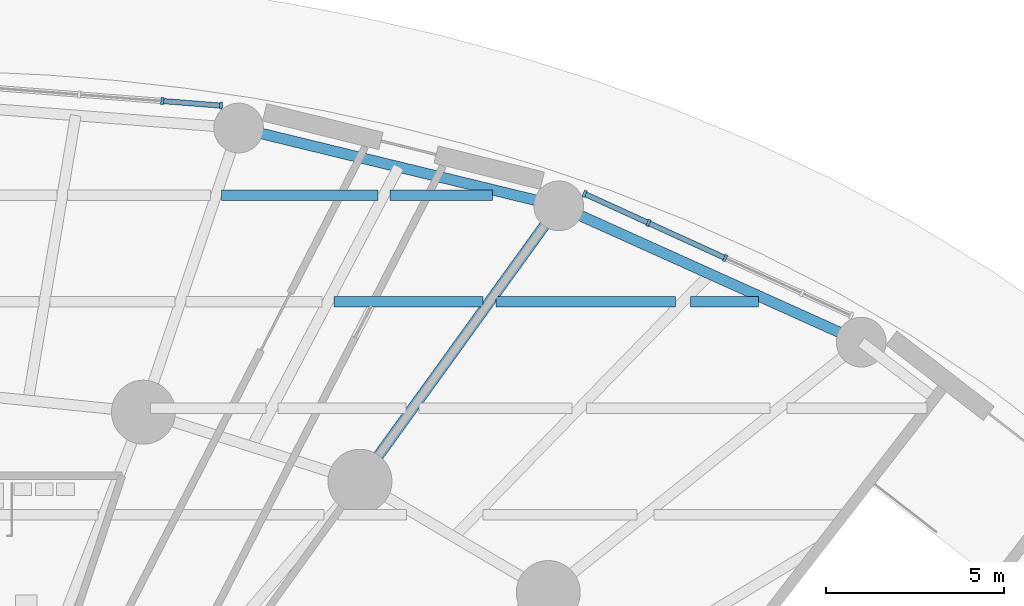
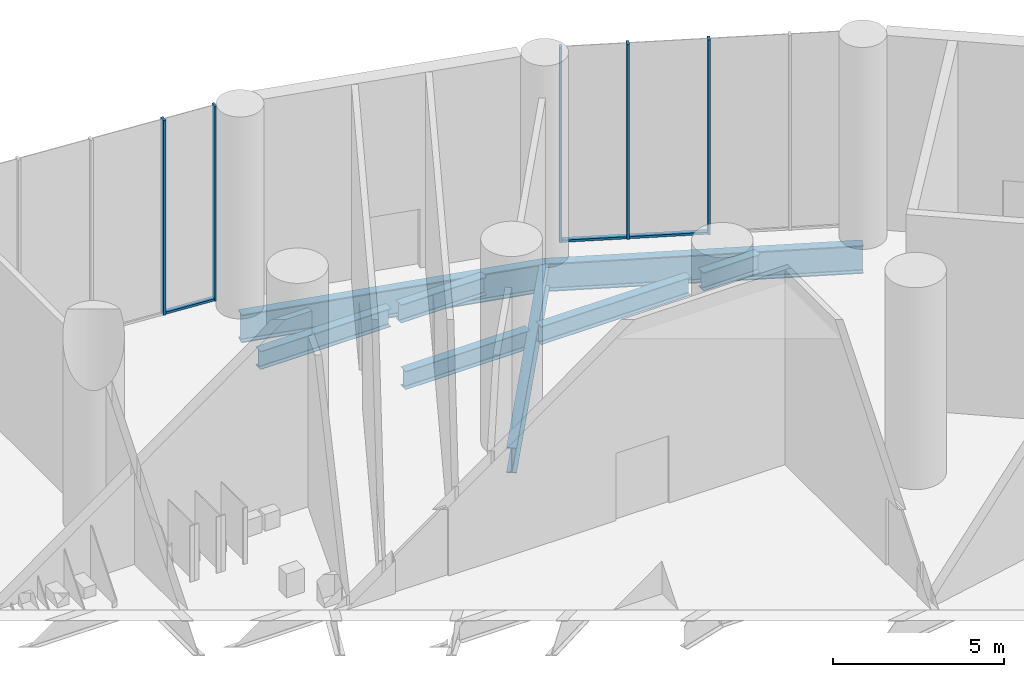
# One storey, part 8 of 22: 8 beams, 8 members, 2 elements without a shape of their own.
"""IFC4 building model written with IfcOpenShell, lengths in metres."""

from ifc_helpers import new_model, si_unit, direction, frame, origin, origin_2d, place, context, subcontext, project, spatial, rectangle, i_section, extrude, material, material_profile, profile_set, type_object, element, aggregate, save


model = new_model("IFC4")

# Units and contexts
model_context = context("Model", 3, precision=1e-05, world=origin(), true_north=direction((0.0, 1.0)))
body_context = subcontext(model_context, "Body", "Model", "MODEL_VIEW")
ifc_project = project(units=[si_unit("LENGTHUNIT", "METRE"), si_unit("AREAUNIT", "SQUARE_METRE"), si_unit("VOLUMEUNIT", "CUBIC_METRE"), si_unit("PLANEANGLEUNIT", "RADIAN"), si_unit("MASSUNIT", "GRAM", prefix="KILO")], contexts=[model_context])

# Site, building, storey
site_placement = place(None, origin())
site = spatial("IfcSite", under=ifc_project, at=site_placement, CompositionType="ELEMENT")
building_placement = place(site_placement, origin())
building = spatial("IfcBuilding", under=site, at=building_placement, Name="Hankou Lantern Tower", CompositionType="ELEMENT")
storey_placement = place(building_placement, origin())
storey = spatial("IfcBuildingStorey", under=building, at=storey_placement, Name="L00", CompositionType="ELEMENT", Elevation=0.0)

# Curtain wall, members
ifc_material_1 = material(Name="Glass, dark grey tinted laminated", Category="glass")
curtain_wall_type = type_object("IfcCurtainWallType", Name="CWP PODIUM CURTAIN WALL", PredefinedType="USERDEFINED", material=ifc_material_1)
curtain_wall_1_placement = place(storey_placement, origin())
curtain_wall_1 = element("IfcCurtainWall", 1, at=curtain_wall_1_placement, inside=storey, type_object=curtain_wall_type, Name="CWP L00 PC01", ObjectType="PODIUM GLAZING", PredefinedType="USERDEFINED")
ifc_material_2 = material(Name="Aluminium, black anodised", Category="aluminium")
ifc_material_profile_1 = material_profile(ifc_material_2, rectangle(XDim=0.080078125, YDim=0.199951171875, at=origin_2d()), Name="MU2 80X200")
ifc_profile_set_1 = profile_set([ifc_material_profile_1], Name="Aluminium, black anodised")
member_type_1 = type_object("IfcMemberType", Name="MU2 PODIUM MULLION 80X200", PredefinedType="MULLION", material=ifc_profile_set_1)
member_1_placement = place(storey_placement, frame((22.873046875, 23.730224609375, 0.0), z_axis=(0.0, 0.0, 1.0), x_axis=(-0.909669790944, 0.41533224224, 0.0)))
member_1 = element("IfcMember", 2, at=member_1_placement, type_object=member_type_1, Name="CWP mullion 3", PredefinedType="MULLION", context=body_context, shape_type="SweptSolid", body=[
    extrude(rectangle(XDim=0.080078125, YDim=0.199951171875, at=origin_2d()), origin(), (0.0, 0.0, 1.0), 6.949951171875),
])
member_2_placement = place(storey_placement, frame((20.711669921875, 24.717041015625, 0.0), z_axis=(0.0, 0.0, 1.0), x_axis=(-0.909669790944, 0.41533224224, 0.0)))
member_2 = element("IfcMember", 3, at=member_2_placement, type_object=member_type_1, Name="CWP mullion 4", PredefinedType="MULLION", context=body_context, shape_type="SweptSolid", body=[
    extrude(rectangle(XDim=0.080078125, YDim=0.199951171875, at=origin_2d()), origin(), (0.0, 0.0, 1.0), 6.949951171875),
])
member_3_placement = place(storey_placement, frame((18.913818359375, 25.537841796875, 0.0), z_axis=(0.0, 0.0, 1.0), x_axis=(-0.909669790944, 0.41533224224, 0.0)))
member_3 = element("IfcMember", 4, at=member_3_placement, type_object=member_type_1, Name="CWP mullion 5", PredefinedType="MULLION", context=body_context, shape_type="SweptSolid", body=[
    extrude(rectangle(XDim=0.080078125, YDim=0.199951171875, at=origin_2d()), origin(), (0.0, 0.0, 1.0), 6.949951171875),
])

curtain_wall_2_placement = place(storey_placement, origin())
curtain_wall_2 = element("IfcCurtainWall", 5, at=curtain_wall_2_placement, inside=storey, type_object=curtain_wall_type, Name="CWP L00 PC02", ObjectType="PODIUM GLAZING", PredefinedType="USERDEFINED")
member_4_placement = place(storey_placement, frame((8.678955078125, 28.0205078125, 0.0), z_axis=(0.0, 0.0, 1.0), x_axis=(-0.996948515213, 0.078061885796, 0.0)))
member_4 = element("IfcMember", 6, at=member_4_placement, type_object=member_type_1, Name="CWP mullion 1", PredefinedType="MULLION", context=body_context, shape_type="SweptSolid", body=[
    extrude(rectangle(XDim=0.080078125, YDim=0.199951171875, at=origin_2d()), origin(), (0.0, 0.0, 1.0), 6.949951171875),
])
member_5_placement = place(storey_placement, frame((7.025146484375, 28.14990234375, 0.0), z_axis=(0.0, 0.0, 1.0), x_axis=(-0.996948515213, 0.078061885796, 0.0)))
member_5 = element("IfcMember", 7, at=member_5_placement, type_object=member_type_1, Name="CWP mullion 2", PredefinedType="MULLION", context=body_context, shape_type="SweptSolid", body=[
    extrude(rectangle(XDim=0.080078125, YDim=0.199951171875, at=origin_2d()), origin(), (0.0, 0.0, 1.0), 6.949951171875),
])

# Beams
ifc_material_3 = material(Name="Steel Q355B", Category="steel")
ifc_material_profile_2 = material_profile(ifc_material_3, i_section(OverallWidth=0.300048828125, OverallDepth=0.89990234375, WebThickness=0.01611328125, FlangeThickness=0.028076171875, FilletRadius=0.01806640625, at=origin_2d()), Name="HN900x300x16x28")
ifc_profile_set_2 = profile_set([ifc_material_profile_2], Name="Steel Q355B")
beam_type_1 = type_object("IfcBeamType", Name="PB13 PODIUM RADIAL BEAM HN900x300x16x28", PredefinedType="BEAM", material=ifc_profile_set_2)
beam_1_placement = place(storey_placement, frame((12.5908203125, 17.446533203125, -0.699951171875), z_axis=(0.585207097055, 0.810883871807, 0.0), x_axis=(-0.810883871807, 0.585207097055, 0.0)))
element("IfcBeam", 8, at=beam_1_placement, inside=storey, type_object=beam_type_1, Name="Podium radial beam R05 L00", PredefinedType="BEAM", context=body_context, shape_type="SweptSolid", body=[
    extrude(i_section(OverallWidth=0.300048828125, OverallDepth=0.89990234375, WebThickness=0.01611328125, FlangeThickness=0.028076171875, FilletRadius=0.01806640625, at=origin_2d()), origin(), (0.0, 0.0, 1.0), 9.56103515625),
])
ifc_material_4 = material(Name="Steel Q355B", Category="steel")
ifc_material_profile_3 = material_profile(ifc_material_4, i_section(OverallWidth=0.300048828125, OverallDepth=1.0, WebThickness=0.01904296875, FlangeThickness=0.035888671875, FilletRadius=0.01806640625, at=origin_2d()), Name="HN1000x300x19x36")
ifc_profile_set_3 = profile_set([ifc_material_profile_3], Name="Steel Q355B")
beam_type_2 = type_object("IfcBeamType", Name="PR22 PODIUM RING BEAM HN1000x300x19x36", PredefinedType="BEAM", material=ifc_profile_set_3)
beam_2_placement = place(storey_placement, frame((26.7021484375, 21.361572265625, -0.75), z_axis=(-0.911695429723, 0.410866697874, 0.0), x_axis=(-0.410866697874, -0.911695429723, 0.0)))
element("IfcBeam", 9, at=beam_2_placement, inside=storey, type_object=beam_type_2, Name="Podium ring beam R04-R05 L00", PredefinedType="BEAM", context=body_context, shape_type="SweptSolid", body=[
    extrude(i_section(OverallWidth=0.300048828125, OverallDepth=1.0, WebThickness=0.01904296875, FlangeThickness=0.035888671875, FilletRadius=0.01806640625, at=origin_2d()), origin(), (0.0, 0.0, 1.0), 9.341064453125),
])
beam_3_placement = place(storey_placement, frame((18.18603515625, 25.199462890625, -0.75), z_axis=(-0.971677242441, 0.23631194748, 0.0), x_axis=(-0.23631194748, -0.971677242441, 0.0)))
element("IfcBeam", 10, at=beam_3_placement, inside=storey, type_object=beam_type_2, Name="Podium ring beam R05-R06 L00", PredefinedType="BEAM", context=body_context, shape_type="SweptSolid", body=[
    extrude(i_section(OverallWidth=0.300048828125, OverallDepth=1.0, WebThickness=0.01904296875, FlangeThickness=0.035888671875, FilletRadius=0.01806640625, at=origin_2d()), origin(), (0.0, 0.0, 1.0), 9.2744140625),
])
ifc_material_5 = material(Name="Steel Q355B", Category="steel")
ifc_material_profile_4 = material_profile(ifc_material_5, i_section(OverallWidth=0.300048828125, OverallDepth=0.64990234375, WebThickness=0.010986328125, FlangeThickness=0.01708984375, FilletRadius=0.01806640625, at=origin_2d()), Name="HN650x300x11x17")
ifc_profile_set_4 = profile_set([ifc_material_profile_4], Name="Steel Q355B")
beam_type_3 = type_object("IfcBeamType", Name="SB8 SECONDARY BEAM HN650x300x11x17", PredefinedType="JOIST", material=ifc_profile_set_4)
beam_4_placement = place(storey_placement, frame((11.85595703125, 22.5, -0.574951171875), z_axis=(1.0, 0.0, 0.0), x_axis=(0.0, 1.0, 0.0)))
element("IfcBeam", 11, at=beam_4_placement, inside=storey, type_object=beam_type_3, Name="Floor joist J162 L00", PredefinedType="JOIST", context=body_context, shape_type="SweptSolid", body=[
    extrude(i_section(OverallWidth=0.300048828125, OverallDepth=0.64990234375, WebThickness=0.010986328125, FlangeThickness=0.01708984375, FilletRadius=0.01806640625, at=origin_2d()), origin(), (0.0, 0.0, 1.0), 4.197021484375),
])
beam_5_placement = place(storey_placement, frame((16.423095703125, 22.5, -0.574951171875), z_axis=(1.0, 0.0, 0.0), x_axis=(0.0, 1.0, 0.0)))
element("IfcBeam", 12, at=beam_5_placement, inside=storey, type_object=beam_type_3, Name="Floor joist J163 L00", PredefinedType="JOIST", context=body_context, shape_type="SweptSolid", body=[
    extrude(i_section(OverallWidth=0.300048828125, OverallDepth=0.64990234375, WebThickness=0.010986328125, FlangeThickness=0.01708984375, FilletRadius=0.01806640625, at=origin_2d()), origin(), (0.0, 0.0, 1.0), 5.052001953125),
])
beam_6_placement = place(storey_placement, frame((21.893798828125, 22.5, -0.574951171875), z_axis=(1.0, 0.0, 0.0), x_axis=(0.0, 1.0, 0.0)))
element("IfcBeam", 13, at=beam_6_placement, inside=storey, type_object=beam_type_3, Name="Floor joist J164 L00", PredefinedType="JOIST", context=body_context, shape_type="SweptSolid", body=[
    extrude(i_section(OverallWidth=0.300048828125, OverallDepth=0.64990234375, WebThickness=0.010986328125, FlangeThickness=0.01708984375, FilletRadius=0.01806640625, at=origin_2d()), origin(), (0.0, 0.0, 1.0), 1.917236328125),
])
beam_7_placement = place(storey_placement, frame((8.698974609375, 25.5, -0.574951171875), z_axis=(1.0, 0.0, 0.0), x_axis=(0.0, 1.0, 0.0)))
element("IfcBeam", 14, at=beam_7_placement, inside=storey, type_object=beam_type_3, Name="Floor joist J171 L00", PredefinedType="JOIST", context=body_context, shape_type="SweptSolid", body=[
    extrude(i_section(OverallWidth=0.300048828125, OverallDepth=0.64990234375, WebThickness=0.010986328125, FlangeThickness=0.01708984375, FilletRadius=0.01806640625, at=origin_2d()), origin(), (0.0, 0.0, 1.0), 4.39404296875),
])
beam_8_placement = place(storey_placement, frame((13.431884765625, 25.5, -0.574951171875), z_axis=(1.0, 0.0, 0.0), x_axis=(0.0, 1.0, 0.0)))
element("IfcBeam", 15, at=beam_8_placement, inside=storey, type_object=beam_type_3, Name="Floor joist J172 L00", PredefinedType="JOIST", context=body_context, shape_type="SweptSolid", body=[
    extrude(i_section(OverallWidth=0.300048828125, OverallDepth=0.64990234375, WebThickness=0.010986328125, FlangeThickness=0.01708984375, FilletRadius=0.01806640625, at=origin_2d()), origin(), (0.0, 0.0, 1.0), 2.883544921875),
])

# Member
ifc_material_6 = material(Name="Aluminium, black anodised", Category="aluminium")
ifc_material_profile_5 = material_profile(ifc_material_6, rectangle(XDim=0.14990234375, YDim=0.080078125, at=origin_2d()), Name="TR2 150X80")
ifc_profile_set_5 = profile_set([ifc_material_profile_5], Name="Aluminium, black anodised")
member_type_2 = type_object("IfcMemberType", Name="TR2 PODIUM TRANSOM 150X80", PredefinedType="USERDEFINED", material=ifc_profile_set_5)
member_6_placement = place(storey_placement, frame((22.836669921875, 23.746826171875, 0.0400390625), z_axis=(-0.909669664149, 0.415332519949, 0.0), x_axis=(-0.415332519949, -0.909669664149, 0.0)))
member_6 = element("IfcMember", 16, at=member_6_placement, type_object=member_type_2, Name="CWP transom 3", ObjectType="TRANSOM", PredefinedType="USERDEFINED", context=body_context, shape_type="SweptSolid", body=[
    extrude(rectangle(XDim=0.14990234375, YDim=0.080078125, at=origin_2d()), origin(), (0.0, 0.0, 1.0), 2.296142578125),
])

member_7_placement = place(storey_placement, frame((20.67529296875, 24.733642578125, 0.0400390625), z_axis=(-0.909677430468, 0.41531550958, 0.0), x_axis=(-0.41531550958, -0.909677430468, 0.0)))
member_7 = element("IfcMember", 17, at=member_7_placement, type_object=member_type_2, Name="CWP transom 4", ObjectType="TRANSOM", PredefinedType="USERDEFINED", context=body_context, shape_type="SweptSolid", body=[
    extrude(rectangle(XDim=0.14990234375, YDim=0.080078125, at=origin_2d()), origin(), (0.0, 0.0, 1.0), 1.896484375),
])

aggregate(curtain_wall_1, [member_1, member_2, member_3, member_6, member_7])

member_8_placement = place(storey_placement, frame((8.638916015625, 28.023681640625, 0.0400390625), z_axis=(-0.996957260436, 0.077950117788, 0.0), x_axis=(-0.077950117788, -0.996957260436, 0.0)))
member_8 = element("IfcMember", 18, at=member_8_placement, type_object=member_type_2, Name="CWP transom 1", ObjectType="TRANSOM", PredefinedType="USERDEFINED", context=body_context, shape_type="SweptSolid", body=[
    extrude(rectangle(XDim=0.14990234375, YDim=0.080078125, at=origin_2d()), origin(), (0.0, 0.0, 1.0), 1.57861328125),
])

aggregate(curtain_wall_2, [member_4, member_5, member_8])

save(model, "model.ifc")
